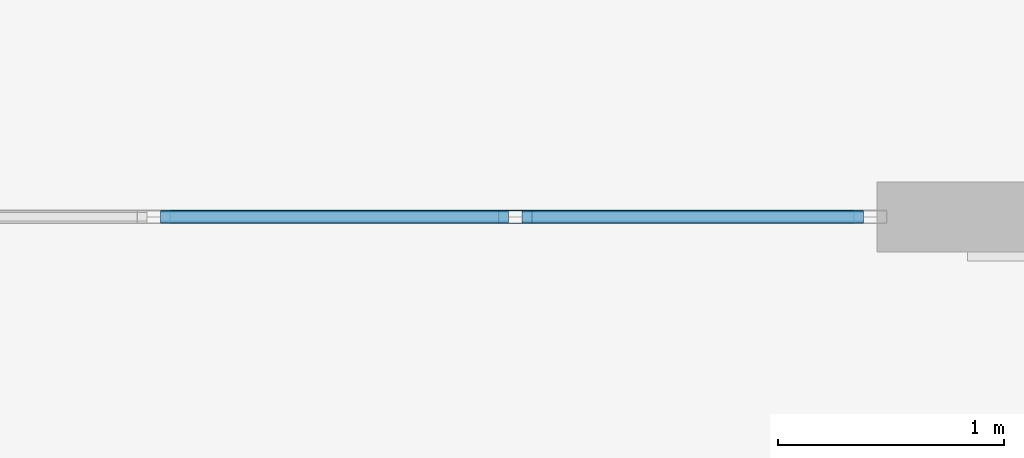
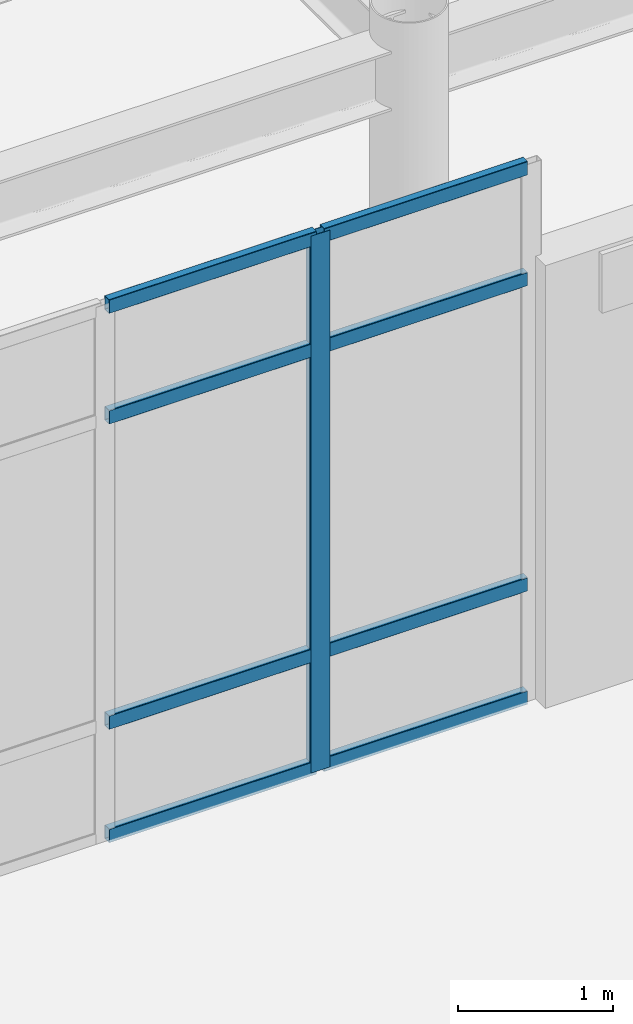
# One storey, part 33 of 93: 9 members, 1 element without a shape of its own.
"""IFC4 building model written with IfcOpenShell, lengths in metres."""

from ifc_helpers import new_model, si_unit, direction, frame, origin, origin_2d, place, context, subcontext, project, spatial, hollow_rectangle, extrude, material, material_profile, profile_set, type_object, element, aggregate, save


model = new_model("IFC4")

# Units and contexts
model_context = context("Model", 3, precision=1e-05, world=origin(), true_north=direction((0.0, 1.0)))
body_context = subcontext(model_context, "Body", "Model", "MODEL_VIEW")
ifc_project = project(units=[si_unit("LENGTHUNIT", "METRE"), si_unit("AREAUNIT", "SQUARE_METRE"), si_unit("VOLUMEUNIT", "CUBIC_METRE"), si_unit("PLANEANGLEUNIT", "RADIAN"), si_unit("MASSUNIT", "GRAM", prefix="KILO")], contexts=[model_context])

# Site, building, storey
site_placement = place(None, origin())
site = spatial("IfcSite", under=ifc_project, at=site_placement, CompositionType="ELEMENT")
building_placement = place(site_placement, origin())
building = spatial("IfcBuilding", under=site, at=building_placement, Name="Solmirada Galleria", CompositionType="ELEMENT")
storey_placement = place(building_placement, frame((0.0, 0.0, 14.89990234375)))
storey = spatial("IfcBuildingStorey", under=building, at=storey_placement, Name="L03", CompositionType="ELEMENT", Elevation=14.89990234375)

# Curtain wall, members
ifc_material_1 = material(Name="Impact-resistant low-E double glazing", Category="glass")
curtain_wall_type = type_object("IfcCurtainWallType", Name="CW-FZ4-L03-B5-L080", PredefinedType="NOTDEFINED", material=ifc_material_1)
curtain_wall_placement = place(storey_placement, origin())
curtain_wall = element("IfcCurtainWall", 1, at=curtain_wall_placement, inside=storey, type_object=curtain_wall_type, Name="Terrace and arcade storefront CW-L03-126", PredefinedType="NOTDEFINED")
ifc_material_2 = material(Name="Anodised aluminium framing", Category="aluminium")
ifc_material_profile_1 = material_profile(ifc_material_2, hollow_rectangle(XDim=0.06005859375, YDim=0.14990234375, WallThickness=0.00341796875, InnerFilletRadius=0.00341796875, OuterFilletRadius=0.007080078125, at=origin_2d()), Name="ALU-MULL-150X60")
ifc_profile_set_1 = profile_set([ifc_material_profile_1], Name="Anodised aluminium framing")
member_type_1 = type_object("IfcMemberType", Name="CW-MULL-150", PredefinedType="MULLION", material=ifc_profile_set_1)
member_1_placement = place(storey_placement, frame((54.39990234375, 86.39990234375, 0.0), z_axis=(0.0, 0.0, 1.0), x_axis=(0.0, -1.0, 0.0)))
member_1 = element("IfcMember", 2, at=member_1_placement, type_object=member_type_1, Name="CW28 mullion 2", PredefinedType="MULLION", context=body_context, shape_type="SweptSolid", body=[
    extrude(hollow_rectangle(XDim=0.06005859375, YDim=0.14990234375, WallThickness=0.00341796875, InnerFilletRadius=0.00341796875, OuterFilletRadius=0.007080078125, at=origin_2d()), origin(), (0.0, 0.0, 1.0), 4.22021484375),
])
ifc_material_profile_2 = material_profile(ifc_material_2, hollow_rectangle(XDim=0.06005859375, YDim=0.110107421875, WallThickness=0.003173828125, InnerFilletRadius=0.003173828125, OuterFilletRadius=0.00634765625, at=origin_2d()), Name="ALU-TRAN-110X60")
ifc_profile_set_2 = profile_set([ifc_material_profile_2], Name="Anodised aluminium framing")
member_type_2 = type_object("IfcMemberType", Name="CW-TRAN-110", PredefinedType="USERDEFINED", material=ifc_profile_set_2)
member_2_placement = place(storey_placement, frame((55.93994140625, 86.39990234375, 0.030029296875), z_axis=(-1.0, 0.0, 0.0), x_axis=(0.0, -1.0, 0.0)))
member_2 = element("IfcMember", 3, at=member_2_placement, type_object=member_type_2, Name="CW28 transom 1.1", ObjectType="TRANSOM", PredefinedType="USERDEFINED", context=body_context, shape_type="SweptSolid", body=[
    extrude(hollow_rectangle(XDim=0.06005859375, YDim=0.110107421875, WallThickness=0.003173828125, InnerFilletRadius=0.003173828125, OuterFilletRadius=0.00634765625, at=origin_2d()), origin(), (0.0, 0.0, 1.0), 1.510009765625),
])
member_3_placement = place(storey_placement, frame((55.93994140625, 86.39990234375, 0.920166015625), z_axis=(-1.0, 0.0, 0.0), x_axis=(0.0, -1.0, 0.0)))
member_3 = element("IfcMember", 4, at=member_3_placement, type_object=member_type_2, Name="CW28 transom 1.2", ObjectType="TRANSOM", PredefinedType="USERDEFINED", context=body_context, shape_type="SweptSolid", body=[
    extrude(hollow_rectangle(XDim=0.06005859375, YDim=0.110107421875, WallThickness=0.003173828125, InnerFilletRadius=0.003173828125, OuterFilletRadius=0.00634765625, at=origin_2d()), origin(), (0.0, 0.0, 1.0), 1.510009765625),
])
member_4_placement = place(storey_placement, frame((55.93994140625, 86.39990234375, 3.320068359375), z_axis=(-1.0, 0.0, 0.0), x_axis=(0.0, -1.0, 0.0)))
member_4 = element("IfcMember", 5, at=member_4_placement, type_object=member_type_2, Name="CW28 transom 1.3", ObjectType="TRANSOM", PredefinedType="USERDEFINED", context=body_context, shape_type="SweptSolid", body=[
    extrude(hollow_rectangle(XDim=0.06005859375, YDim=0.110107421875, WallThickness=0.003173828125, InnerFilletRadius=0.003173828125, OuterFilletRadius=0.00634765625, at=origin_2d()), origin(), (0.0, 0.0, 1.0), 1.510009765625),
])
member_5_placement = place(storey_placement, frame((55.93994140625, 86.39990234375, 4.190185546875), z_axis=(-1.0, 0.0, 0.0), x_axis=(0.0, -1.0, 0.0)))
member_5 = element("IfcMember", 6, at=member_5_placement, type_object=member_type_2, Name="CW28 transom 1.4", ObjectType="TRANSOM", PredefinedType="USERDEFINED", context=body_context, shape_type="SweptSolid", body=[
    extrude(hollow_rectangle(XDim=0.06005859375, YDim=0.110107421875, WallThickness=0.003173828125, InnerFilletRadius=0.003173828125, OuterFilletRadius=0.00634765625, at=origin_2d()), origin(), (0.0, 0.0, 1.0), 1.510009765625),
])
member_6_placement = place(storey_placement, frame((54.3701171875, 86.39990234375, 0.030029296875), z_axis=(-1.0, 0.0, 0.0), x_axis=(0.0, -1.0, 0.0)))
member_6 = element("IfcMember", 7, at=member_6_placement, type_object=member_type_2, Name="CW28 transom 2.1", ObjectType="TRANSOM", PredefinedType="USERDEFINED", context=body_context, shape_type="SweptSolid", body=[
    extrude(hollow_rectangle(XDim=0.06005859375, YDim=0.110107421875, WallThickness=0.003173828125, InnerFilletRadius=0.003173828125, OuterFilletRadius=0.00634765625, at=origin_2d()), origin(), (0.0, 0.0, 1.0), 1.5400390625),
])
member_7_placement = place(storey_placement, frame((54.3701171875, 86.39990234375, 0.920166015625), z_axis=(-1.0, 0.0, 0.0), x_axis=(0.0, -1.0, 0.0)))
member_7 = element("IfcMember", 8, at=member_7_placement, type_object=member_type_2, Name="CW28 transom 2.2", ObjectType="TRANSOM", PredefinedType="USERDEFINED", context=body_context, shape_type="SweptSolid", body=[
    extrude(hollow_rectangle(XDim=0.06005859375, YDim=0.110107421875, WallThickness=0.003173828125, InnerFilletRadius=0.003173828125, OuterFilletRadius=0.00634765625, at=origin_2d()), origin(), (0.0, 0.0, 1.0), 1.5400390625),
])
member_8_placement = place(storey_placement, frame((54.3701171875, 86.39990234375, 3.320068359375), z_axis=(-1.0, 0.0, 0.0), x_axis=(0.0, -1.0, 0.0)))
member_8 = element("IfcMember", 9, at=member_8_placement, type_object=member_type_2, Name="CW28 transom 2.3", ObjectType="TRANSOM", PredefinedType="USERDEFINED", context=body_context, shape_type="SweptSolid", body=[
    extrude(hollow_rectangle(XDim=0.06005859375, YDim=0.110107421875, WallThickness=0.003173828125, InnerFilletRadius=0.003173828125, OuterFilletRadius=0.00634765625, at=origin_2d()), origin(), (0.0, 0.0, 1.0), 1.5400390625),
])
member_9_placement = place(storey_placement, frame((54.3701171875, 86.39990234375, 4.190185546875), z_axis=(-1.0, 0.0, 0.0), x_axis=(0.0, -1.0, 0.0)))
member_9 = element("IfcMember", 10, at=member_9_placement, type_object=member_type_2, Name="CW28 transom 2.4", ObjectType="TRANSOM", PredefinedType="USERDEFINED", context=body_context, shape_type="SweptSolid", body=[
    extrude(hollow_rectangle(XDim=0.06005859375, YDim=0.110107421875, WallThickness=0.003173828125, InnerFilletRadius=0.003173828125, OuterFilletRadius=0.00634765625, at=origin_2d()), origin(), (0.0, 0.0, 1.0), 1.5400390625),
])
aggregate(curtain_wall, [member_1, member_2, member_3, member_4, member_5, member_6, member_7, member_8, member_9])

save(model, "model.ifc")
